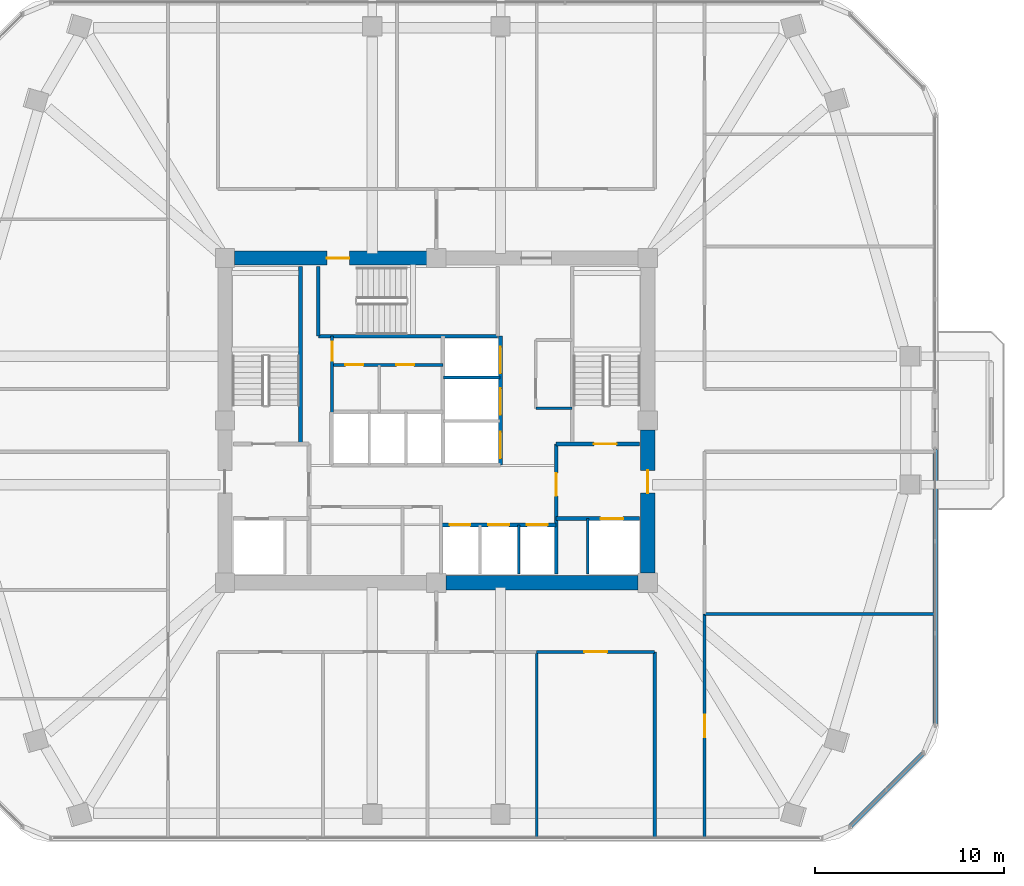
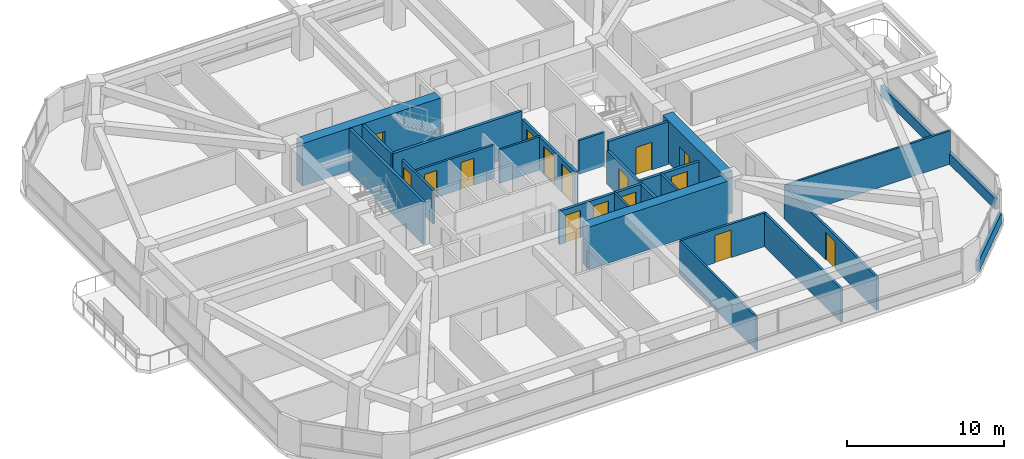
# One storey, part 11 of 15: 24 walls, 16 doors, 16 openings.
"""IFC4 building model written with IfcOpenShell, lengths in metres."""

from ifc_helpers import new_model, si_unit, derived_unit, direction, frame, frame_2d, origin, place, context, subcontext, project, spatial, rectangle, extrude, material, layer, layer_set, type_object, element, fill, save


model = new_model("IFC4")

# Units and contexts
model_context = context("Model", 3, precision=1e-05, world=origin(), true_north=direction((0.0, 1.0)))
body_context = subcontext(model_context, "Body", "Model", "MODEL_VIEW")
ifc_project = project(units=[si_unit("LENGTHUNIT", "METRE"), si_unit("AREAUNIT", "SQUARE_METRE"), si_unit("VOLUMEUNIT", "CUBIC_METRE"), si_unit("PLANEANGLEUNIT", "RADIAN"), si_unit("MASSUNIT", "GRAM", prefix="KILO"), derived_unit("THERMALTRANSMITTANCEUNIT", [(si_unit("POWERUNIT", "WATT"), 1), (si_unit("LENGTHUNIT", "METRE"), -2), (si_unit("THERMODYNAMICTEMPERATUREUNIT", "KELVIN"), -1)])], contexts=[model_context])

# Site, building, storey
site_placement = place(None, origin())
site = spatial("IfcSite", under=ifc_project, at=site_placement, CompositionType="ELEMENT")
building_placement = place(site_placement, origin())
building = spatial("IfcBuilding", under=site, at=building_placement, Name="Koralith Skygarden Medical Center", CompositionType="ELEMENT")
storey_placement = place(building_placement, frame((0.0, 0.0, 91.97998046875)))
storey = spatial("IfcBuildingStorey", under=building, at=storey_placement, Name="L23", CompositionType="ELEMENT", Elevation=91.97998046875)

# Walls
ifc_material_1 = material(Name="Gypsum Board Partition")
ifc_layer_1 = layer(ifc_material_1, 0.14990234375)
ifc_layer_set_1 = layer_set([ifc_layer_1], Name="Gypsum Board Partition")
wall_type_1 = type_object("IfcWallType", Name="Clinical Acoustic Partition 150", PredefinedType="PARTITIONING", material=ifc_layer_set_1)
wall_1_placement = place(storey_placement, frame((42.27001953125, 26.5400390625, 0.0), z_axis=(0.0, 0.0, 1.0), x_axis=(1.0, 0.0, 0.0)))
element("IfcWall", 1, at=wall_1_placement, inside=storey, type_object=wall_type_1, Name="L23 Clinical Acoustic Partition 150 W-CORE-L23-ESUB-S", PredefinedType="PARTITIONING", context=body_context, shape_type="SweptSolid", body=[
    extrude(rectangle(XDim=1.929931640625, YDim=0.14990234375, at=frame_2d((0.96484375, 0.0))), origin(), (0.0, 0.0, 1.0), 2.610107421875),
])
wall_2_placement = place(storey_placement, frame((42.318115234375, 13.639892578125, 0.0), z_axis=(0.0, 0.0, 1.0), x_axis=(0.0, -1.0, 0.0)))
element("IfcWall", 2, at=wall_2_placement, inside=storey, type_object=wall_type_1, Name="L23 Clinical Acoustic Partition 150 W-PART-L23-S-03", PredefinedType="PARTITIONING", context=body_context, shape_type="SweptSolid", body=[
    extrude(rectangle(XDim=9.851806640625, YDim=0.14990234375, at=frame_2d((4.92578125, 0.0))), origin(), (0.0, 0.0, 1.0), 2.610107421875),
])
wall_3_placement = place(storey_placement, frame((51.2099609375, 15.64990234375, 0.0), z_axis=(0.0, 0.0, 1.0), x_axis=(1.0, 0.0, 0.0)))
element("IfcWall", 3, at=wall_3_placement, inside=storey, type_object=wall_type_1, Name="L23 Clinical Acoustic Partition 150 W-PART-L23-ES-01", PredefinedType="PARTITIONING", context=body_context, shape_type="SweptSolid", body=[
    extrude(rectangle(XDim=12.18798828125, YDim=0.14990234375, at=frame_2d((6.093994140625, 0.0))), origin(), (0.0, 0.0, 1.0), 2.610107421875),
])
ifc_layer_2 = layer(ifc_material_1, 0.1650390625)
ifc_layer_set_2 = layer_set([ifc_layer_2], Name="Gypsum Board Partition")
wall_type_2 = type_object("IfcWallType", Name="Clinical Corridor Partition 165", PredefinedType="PARTITIONING", material=ifc_layer_set_2)
wall_4_placement = place(storey_placement, frame((48.570068359375, 3.7880859375, 0.0), z_axis=(0.0, 0.0, 1.0), x_axis=(0.0, 1.0, 0.0)))
element("IfcWall", 4, at=wall_4_placement, inside=storey, type_object=wall_type_2, Name="L23 Clinical Corridor Partition 165 W-HCOR-L23-SE", PredefinedType="PARTITIONING", context=body_context, shape_type="SweptSolid", body=[
    extrude(rectangle(XDim=9.851806640625, YDim=0.1650390625, at=frame_2d((4.92578125, 0.0))), origin(), (0.0, 0.0, 1.0), 2.610107421875),
])

# Wall, opening, door
wall_5_placement = place(storey_placement, frame((42.318115234375, 13.639892578125, 0.0), z_axis=(0.0, 0.0, 1.0), x_axis=(1.0, 0.0, 0.0)))
wall_5 = element("IfcWall", 5, at=wall_5_placement, inside=storey, type_object=wall_type_2, Name="L23 Clinical Corridor Partition 165 W-CORR-L23-S-04", PredefinedType="PARTITIONING", context=body_context, shape_type="SweptSolid", body=[
    extrude(rectangle(XDim=6.251953125, YDim=0.1650390625, at=frame_2d((3.1259765625, 0.0))), origin(), (0.0, 0.0, 1.0), 2.610107421875),
])
opening_1_placement = place(wall_5_placement, frame((2.52587890625, 0.0, 0.0)))
opening_1 = element("IfcOpeningElement", 6, at=opening_1_placement, cuts=wall_5, Name="Opening D-CLN", PredefinedType="OPENING", context=body_context, shape_type="SweptSolid", body=[
    extrude(rectangle(XDim=1.199951171875, YDim=2.14990234375, at=frame_2d((0.60009765625, 1.074951171875))), frame((0.0, 0.092529296875, 0.0), z_axis=(0.0, -1.0, 0.0), x_axis=(1.0, 0.0, 0.0)), (0.0, 0.0, 1.0), 0.18505859375),
])
ifc_material_2 = material(Name="Aluminium 6063-T6", Category="aluminium")
door_type_1 = type_object("IfcDoorType", Name="Clinical Corridor Door D-CLN 1200", OperationType="NOTDEFINED", PredefinedType="DOOR", material=ifc_material_2)
door_1_placement = place(opening_1_placement, frame((1.199951171875, 0.0, 0.0), z_axis=(0.0, 0.0, 1.0), x_axis=(-1.0, 0.0, 0.0)))
door_1 = element("IfcDoor", 7, at=door_1_placement, inside=storey, type_object=door_type_1, Name="L23 Cast and Dressing Treatment Room 07 Door", OperationType="SINGLE_SWING_RIGHT", OverallHeight=2.14990234375, OverallWidth=1.199951171875, PredefinedType="DOOR", context=body_context, shape_type="SweptSolid", body=[
    extrude(rectangle(XDim=1.199951171875, YDim=2.14990234375, at=frame_2d((0.60009765625, 1.074951171875))), frame((0.0, 0.02490234375, 0.0), z_axis=(0.0, -1.0, 0.0), x_axis=(1.0, 0.0, 0.0)), (0.0, 0.0, 1.0), 0.050048828125),
])
fill(opening_1, door_1)

wall_6_placement = place(storey_placement, frame((51.2099609375, 3.7880859375, 0.0), z_axis=(0.0, 0.0, 1.0), x_axis=(0.0, 1.0, 0.0)))
wall_6 = element("IfcWall", 8, at=wall_6_placement, inside=storey, type_object=wall_type_2, Name="L23 Clinical Corridor Partition 165 W-CORR-L23-ES-01", PredefinedType="PARTITIONING", context=body_context, shape_type="SweptSolid", body=[
    extrude(rectangle(XDim=11.86181640625, YDim=0.1650390625, at=frame_2d((5.930908203125, 0.0))), origin(), (0.0, 0.0, 1.0), 2.610107421875),
])
opening_2_placement = place(wall_6_placement, frame((5.3310546875, 0.0, 0.0)))
opening_2 = element("IfcOpeningElement", 9, at=opening_2_placement, cuts=wall_6, Name="Opening D-CLN", PredefinedType="OPENING", context=body_context, shape_type="SweptSolid", body=[
    extrude(rectangle(XDim=1.199951171875, YDim=2.14990234375, at=frame_2d((0.60009765625, 1.074951171875))), frame((0.0, 0.092529296875, 0.0), z_axis=(0.0, -1.0, 0.0), x_axis=(1.0, 0.0, 0.0)), (0.0, 0.0, 1.0), 0.18505859375),
])
door_2_placement = place(opening_2_placement, origin())
door_2 = element("IfcDoor", 10, at=door_2_placement, inside=storey, type_object=door_type_1, Name="L23 Sterile Instrument Sub-Store 13 Door", OperationType="SINGLE_SWING_RIGHT", OverallHeight=2.14990234375, OverallWidth=1.199951171875, PredefinedType="DOOR", context=body_context, shape_type="SweptSolid", body=[
    extrude(rectangle(XDim=1.199951171875, YDim=2.14990234375, at=frame_2d((0.60009765625, 1.074951171875))), frame((0.0, 0.02490234375, 0.0), z_axis=(0.0, -1.0, 0.0), x_axis=(1.0, 0.0, 0.0)), (0.0, 0.0, 1.0), 0.050048828125),
])
fill(opening_2, door_2)

ifc_layer_3 = layer(ifc_material_1, 0.199951171875)
ifc_layer_set_3 = layer_set([ifc_layer_3], Name="Gypsum Board Partition")
wall_type_3 = type_object("IfcWallType", Name="Fire Shaft Wall 200", PredefinedType="SOLIDWALL", material=ifc_layer_set_3)
wall_7_placement = place(storey_placement, frame((43.35009765625, 20.699951171875, 0.0), z_axis=(0.0, 0.0, 1.0), x_axis=(1.0, 0.0, 0.0)))
wall_7 = element("IfcWall", 11, at=wall_7_placement, inside=storey, type_object=wall_type_3, Name="L23 Fire Shaft Wall 200 W-CORE-L23-FF2-N", PredefinedType="SOLIDWALL", context=body_context, shape_type="SweptSolid", body=[
    extrude(rectangle(XDim=4.39990234375, YDim=0.199951171875, at=frame_2d((2.199951171875, 0.0))), origin(), (0.0, 0.0, 1.0), 2.610107421875),
])
opening_3_placement = place(wall_7_placement, frame((2.35009765625, 0.0, 0.0)))
opening_3 = element("IfcOpeningElement", 12, at=opening_3_placement, cuts=wall_7, Name="Opening LD-FF", PredefinedType="OPENING", context=body_context, shape_type="SweptSolid", body=[
    extrude(rectangle(XDim=1.199951171875, YDim=2.14990234375, at=frame_2d((0.60009765625, 1.074951171875))), frame((0.0, 0.10986328125, 0.0), z_axis=(0.0, -1.0, 0.0), x_axis=(1.0, 0.0, 0.0)), (0.0, 0.0, 1.0), 0.219970703125),
])
ifc_material_3 = material(Name="Steel ASTM A500 Grade C", Category="steel")
door_type_2 = type_object("IfcDoorType", Name="Fire Lift Sliding Landing Door LD-FF 1200", OperationType="NOTDEFINED", PredefinedType="DOOR", material=ifc_material_3)
door_3_placement = place(opening_3_placement, origin())
door_3 = element("IfcDoor", 13, at=door_3_placement, inside=storey, type_object=door_type_2, Name="L23 Fire Service Elevator FF2 Landing Door", OperationType="SLIDING_TO_RIGHT", OverallHeight=2.14990234375, OverallWidth=1.199951171875, PredefinedType="DOOR", context=body_context, shape_type="SweptSolid", body=[
    extrude(rectangle(XDim=1.199951171875, YDim=2.14990234375, at=frame_2d((0.60009765625, 1.074951171875))), frame((0.0, 0.02490234375, 0.0), z_axis=(0.0, -1.0, 0.0), x_axis=(1.0, 0.0, 0.0)), (0.0, 0.0, 1.0), 0.050048828125),
])
fill(opening_3, door_3)

wall_8_placement = place(storey_placement, frame((43.35009765625, 17.75, 0.0), z_axis=(0.0, 0.0, 1.0), x_axis=(0.0, 1.0, 0.0)))
wall_8 = element("IfcWall", 14, at=wall_8_placement, inside=storey, type_object=wall_type_3, Name="L23 Fire Shaft Wall 200 W-CORE-L23-FSAEE-W", PredefinedType="SOLIDWALL", context=body_context, shape_type="SweptSolid", body=[
    extrude(rectangle(XDim=6.89990234375, YDim=0.199951171875, at=frame_2d((3.449951171875, 0.0))), origin(), (0.0, 0.0, 1.0), 2.610107421875),
])
opening_4_placement = place(wall_8_placement, frame((4.14990234375, 0.0, 0.0)))
opening_4 = element("IfcOpeningElement", 15, at=opening_4_placement, cuts=wall_8, Name="Opening D-ST60", PredefinedType="OPENING", context=body_context, shape_type="SweptSolid", body=[
    extrude(rectangle(XDim=1.199951171875, YDim=2.14990234375, at=frame_2d((0.60009765625, 1.074951171875))), frame((0.0, 0.10986328125, 0.0), z_axis=(0.0, -1.0, 0.0), x_axis=(1.0, 0.0, 0.0)), (0.0, 0.0, 1.0), 0.219970703125),
])
door_type_3 = type_object("IfcDoorType", Name="Smokeproof Stair Fire Door FD60S 1200", OperationType="NOTDEFINED", PredefinedType="DOOR", material=ifc_material_3)
door_4_placement = place(opening_4_placement, frame((1.199951171875, 0.0, 0.0), z_axis=(0.0, 0.0, 1.0), x_axis=(-1.0, 0.0, 0.0)))
door_4 = element("IfcDoor", 16, at=door_4_placement, inside=storey, type_object=door_type_3, Name="L23 East Firefighting Lobby Inner Fire Door", OperationType="SINGLE_SWING_RIGHT", OverallHeight=2.14990234375, OverallWidth=1.199951171875, PredefinedType="DOOR", context=body_context, shape_type="SweptSolid", body=[
    extrude(rectangle(XDim=1.199951171875, YDim=2.14990234375, at=frame_2d((0.60009765625, 1.074951171875))), frame((0.0, 0.02490234375, 0.0), z_axis=(0.0, -1.0, 0.0), x_axis=(1.0, 0.0, 0.0)), (0.0, 0.0, 1.0), 0.050048828125),
])
fill(opening_4, door_4)

# Wall, openings, doors
wall_9_placement = place(storey_placement, frame((37.25, 20.360107421875, 0.0), z_axis=(0.0, 0.0, 1.0), x_axis=(1.0, 0.0, 0.0)))
wall_9 = element("IfcWall", 17, at=wall_9_placement, inside=storey, type_object=wall_type_3, Name="L23 Fire Shaft Wall 200 W-CORE-L23-PM-N", PredefinedType="SOLIDWALL", context=body_context, shape_type="SweptSolid", body=[
    extrude(rectangle(XDim=6.10009765625, YDim=0.199951171875, at=frame_2d((3.050048828125, 0.0))), origin(), (0.0, 0.0, 1.0), 2.610107421875),
])
opening_5_placement = place(wall_9_placement, frame((0.449951171875, 0.0, 0.0)))
opening_5 = element("IfcOpeningElement", 18, at=opening_5_placement, cuts=wall_9, Name="Opening LD-P", PredefinedType="OPENING", context=body_context, shape_type="SweptSolid", body=[
    extrude(rectangle(XDim=1.10009765625, YDim=2.14990234375, at=frame_2d((0.550048828125, 1.074951171875))), frame((0.0, 0.10986328125, 0.0), z_axis=(0.0, -1.0, 0.0), x_axis=(1.0, 0.0, 0.0)), (0.0, 0.0, 1.0), 0.219970703125),
])
opening_6_placement = place(wall_9_placement, frame((2.5, 0.0, 0.0)))
opening_6 = element("IfcOpeningElement", 19, at=opening_6_placement, cuts=wall_9, Name="Opening LD-P", PredefinedType="OPENING", context=body_context, shape_type="SweptSolid", body=[
    extrude(rectangle(XDim=1.10009765625, YDim=2.14990234375, at=frame_2d((0.550048828125, 1.074951171875))), frame((0.0, 0.10986328125, 0.0), z_axis=(0.0, -1.0, 0.0), x_axis=(1.0, 0.0, 0.0)), (0.0, 0.0, 1.0), 0.219970703125),
])
opening_7_placement = place(wall_9_placement, frame((4.550048828125, 0.0, 0.0)))
opening_7 = element("IfcOpeningElement", 20, at=opening_7_placement, cuts=wall_9, Name="Opening LD-P", PredefinedType="OPENING", context=body_context, shape_type="SweptSolid", body=[
    extrude(rectangle(XDim=1.10009765625, YDim=2.14990234375, at=frame_2d((0.550048828125, 1.074951171875))), frame((0.0, 0.10986328125, 0.0), z_axis=(0.0, -1.0, 0.0), x_axis=(1.0, 0.0, 0.0)), (0.0, 0.0, 1.0), 0.219970703125),
])
door_type_4 = type_object("IfcDoorType", Name="Passenger Lift Sliding Landing Door LD-P 1100", OperationType="NOTDEFINED", PredefinedType="DOOR", material=ifc_material_3)
door_5_placement = place(opening_5_placement, origin())
door_5 = element("IfcDoor", 21, at=door_5_placement, inside=storey, type_object=door_type_4, Name="L23 Passenger Elevator PM1 Landing Door", OperationType="SLIDING_TO_LEFT", OverallHeight=2.14990234375, OverallWidth=1.10009765625, PredefinedType="DOOR", context=body_context, shape_type="SweptSolid", body=[
    extrude(rectangle(XDim=1.10009765625, YDim=2.14990234375, at=frame_2d((0.550048828125, 1.074951171875))), frame((0.0, 0.02490234375, 0.0), z_axis=(0.0, -1.0, 0.0), x_axis=(1.0, 0.0, 0.0)), (0.0, 0.0, 1.0), 0.050048828125),
])
fill(opening_5, door_5)
door_6_placement = place(opening_6_placement, origin())
door_6 = element("IfcDoor", 22, at=door_6_placement, inside=storey, type_object=door_type_4, Name="L23 Passenger Elevator PM2 Landing Door", OperationType="SLIDING_TO_LEFT", OverallHeight=2.14990234375, OverallWidth=1.10009765625, PredefinedType="DOOR", context=body_context, shape_type="SweptSolid", body=[
    extrude(rectangle(XDim=1.10009765625, YDim=2.14990234375, at=frame_2d((0.550048828125, 1.074951171875))), frame((0.0, 0.02490234375, 0.0), z_axis=(0.0, -1.0, 0.0), x_axis=(1.0, 0.0, 0.0)), (0.0, 0.0, 1.0), 0.050048828125),
])
fill(opening_6, door_6)
door_7_placement = place(opening_7_placement, origin())
door_7 = element("IfcDoor", 23, at=door_7_placement, inside=storey, type_object=door_type_4, Name="L23 Passenger Elevator PM3 Landing Door", OperationType="SLIDING_TO_LEFT", OverallHeight=2.14990234375, OverallWidth=1.10009765625, PredefinedType="DOOR", context=body_context, shape_type="SweptSolid", body=[
    extrude(rectangle(XDim=1.10009765625, YDim=2.14990234375, at=frame_2d((0.550048828125, 1.074951171875))), frame((0.0, 0.02490234375, 0.0), z_axis=(0.0, -1.0, 0.0), x_axis=(1.0, 0.0, 0.0)), (0.0, 0.0, 1.0), 0.050048828125),
])
fill(opening_7, door_7)

wall_10_placement = place(storey_placement, frame((40.39990234375, 23.5400390625, 0.0), z_axis=(0.0, 0.0, 1.0), x_axis=(0.0, 1.0, 0.0)))
wall_10 = element("IfcWall", 24, at=wall_10_placement, inside=storey, type_object=wall_type_3, Name="L23 Fire Shaft Wall 200 W-CORE-L23-SV-E", PredefinedType="SOLIDWALL", context=body_context, shape_type="SweptSolid", body=[
    extrude(rectangle(XDim=6.820068359375, YDim=0.199951171875, at=frame_2d((3.41015625, 0.0))), origin(), (0.0, 0.0, 1.0), 2.610107421875),
])
opening_8_placement = place(wall_10_placement, frame((0.35009765625, 0.0, 0.0)))
opening_8 = element("IfcOpeningElement", 25, at=opening_8_placement, cuts=wall_10, Name="Opening LD-SV", PredefinedType="OPENING", context=body_context, shape_type="SweptSolid", body=[
    extrude(rectangle(XDim=1.39990234375, YDim=2.199951171875, at=frame_2d((0.699951171875, 1.10009765625))), frame((0.0, 0.10986328125, 0.0), z_axis=(0.0, -1.0, 0.0), x_axis=(1.0, 0.0, 0.0)), (0.0, 0.0, 1.0), 0.219970703125),
])
opening_9_placement = place(wall_10_placement, frame((2.64990234375, 0.0, 0.0)))
opening_9 = element("IfcOpeningElement", 26, at=opening_9_placement, cuts=wall_10, Name="Opening LD-SV", PredefinedType="OPENING", context=body_context, shape_type="SweptSolid", body=[
    extrude(rectangle(XDim=1.39990234375, YDim=2.199951171875, at=frame_2d((0.699951171875, 1.10009765625))), frame((0.0, 0.10986328125, 0.0), z_axis=(0.0, -1.0, 0.0), x_axis=(1.0, 0.0, 0.0)), (0.0, 0.0, 1.0), 0.219970703125),
])
opening_10_placement = place(wall_10_placement, frame((4.85009765625, 0.0, 0.0)))
opening_10 = element("IfcOpeningElement", 27, at=opening_10_placement, cuts=wall_10, Name="Opening LD-SV", PredefinedType="OPENING", context=body_context, shape_type="SweptSolid", body=[
    extrude(rectangle(XDim=1.39990234375, YDim=2.199951171875, at=frame_2d((0.699951171875, 1.10009765625))), frame((0.0, 0.10986328125, 0.0), z_axis=(0.0, -1.0, 0.0), x_axis=(1.0, 0.0, 0.0)), (0.0, 0.0, 1.0), 0.219970703125),
])
door_type_5 = type_object("IfcDoorType", Name="Bed Lift Sliding Landing Door LD-SV 1400", OperationType="NOTDEFINED", PredefinedType="DOOR", material=ifc_material_3)
door_8_placement = place(opening_8_placement, origin())
door_8 = element("IfcDoor", 28, at=door_8_placement, inside=storey, type_object=door_type_5, Name="L23 Bed Elevator BD1 Landing Door", OperationType="SLIDING_TO_LEFT", OverallHeight=2.199951171875, OverallWidth=1.39990234375, PredefinedType="DOOR", context=body_context, shape_type="SweptSolid", body=[
    extrude(rectangle(XDim=1.39990234375, YDim=2.199951171875, at=frame_2d((0.699951171875, 1.10009765625))), frame((0.0, 0.02490234375, 0.0), z_axis=(0.0, -1.0, 0.0), x_axis=(1.0, 0.0, 0.0)), (0.0, 0.0, 1.0), 0.050048828125),
])
fill(opening_8, door_8)
door_9_placement = place(opening_9_placement, origin())
door_9 = element("IfcDoor", 29, at=door_9_placement, inside=storey, type_object=door_type_5, Name="L23 Service Elevator BD2 Landing Door", OperationType="SLIDING_TO_LEFT", OverallHeight=2.199951171875, OverallWidth=1.39990234375, PredefinedType="DOOR", context=body_context, shape_type="SweptSolid", body=[
    extrude(rectangle(XDim=1.39990234375, YDim=2.199951171875, at=frame_2d((0.699951171875, 1.10009765625))), frame((0.0, 0.02490234375, 0.0), z_axis=(0.0, -1.0, 0.0), x_axis=(1.0, 0.0, 0.0)), (0.0, 0.0, 1.0), 0.050048828125),
])
fill(opening_9, door_9)
door_10_placement = place(opening_10_placement, origin())
door_10 = element("IfcDoor", 30, at=door_10_placement, inside=storey, type_object=door_type_5, Name="L23 Trauma Elevator TR1 Landing Door", OperationType="SLIDING_TO_RIGHT", OverallHeight=2.199951171875, OverallWidth=1.39990234375, PredefinedType="DOOR", context=body_context, shape_type="SweptSolid", body=[
    extrude(rectangle(XDim=1.39990234375, YDim=2.199951171875, at=frame_2d((0.699951171875, 1.10009765625))), frame((0.0, 0.02490234375, 0.0), z_axis=(0.0, -1.0, 0.0), x_axis=(1.0, 0.0, 0.0)), (0.0, 0.0, 1.0), 0.050048828125),
])
fill(opening_10, door_10)

# Walls
ifc_material_4 = material(Name="Warm Oolitic Limestone Cladding", Category="masonry")
ifc_layer_4 = layer(ifc_material_4, 0.239990234375)
ifc_layer_set_4 = layer_set([ifc_layer_4], Name="Warm Oolitic Limestone Cladding")
wall_type_4 = type_object("IfcWallType", Name="Limestone Spandrel Sill Backup Wall 240", PredefinedType="SOLIDWALL", material=ifc_layer_set_4)
wall_11_placement = place(storey_placement, frame((58.89306640625, 4.3701171875, 0.0), z_axis=(0.0, 0.0, 1.0), x_axis=(0.707106781187, 0.707106781187, 0.0)))
element("IfcWall", 31, at=wall_11_placement, inside=storey, type_object=wall_type_4, Name="L23 Sill Spandrel SE", PredefinedType="SOLIDWALL", context=body_context, shape_type="SweptSolid", body=[
    extrude(rectangle(XDim=5.5478515625, YDim=0.239990234375, at=frame_2d((2.77392578125, 0.0))), origin(), (0.0, 0.0, 1.0), 0.85009765625),
])
wall_12_placement = place(storey_placement, frame((63.41796875, 9.743896484375, 0.0), z_axis=(0.0, 0.0, 1.0), x_axis=(0.0, 1.0, 0.0)))
element("IfcWall", 32, at=wall_12_placement, inside=storey, type_object=wall_type_4, Name="L23 Sill Spandrel E-L", PredefinedType="SOLIDWALL", context=body_context, shape_type="SweptSolid", body=[
    extrude(rectangle(XDim=14.6162109375, YDim=0.239990234375, at=frame_2d((7.30810546875, 0.0))), origin(), (0.0, 0.0, 1.0), 0.85009765625),
])
ifc_material_5 = material(Name="Concrete C70/85", Category="concrete")
ifc_layer_5 = layer(ifc_material_5, 0.75)
ifc_layer_set_5 = layer_set([ifc_layer_5], Name="Concrete C70/85")
wall_type_5 = type_object("IfcWallType", Name="Mid Core Shear Wall 750", PredefinedType="SHEAR", material=ifc_layer_set_5)
wall_13_placement = place(storey_placement, frame((37.5048828125, 17.300048828125, 0.0), z_axis=(0.0, 0.0, 1.0), x_axis=(1.0, 0.0, 0.0)))
element("IfcWall", 33, at=wall_13_placement, inside=storey, type_object=wall_type_5, Name="L23 Core Shear Wall Segment 2", PredefinedType="SHEAR", context=body_context, shape_type="SweptSolid", body=[
    extrude(rectangle(XDim=10.190185546875, YDim=0.75, at=frame_2d((5.09521484375, 0.0))), origin(), (0.0, 0.0, 1.0), 3.320068359375),
])

# Wall, opening, door
wall_14_placement = place(storey_placement, frame((48.199951171875, 17.804931640625, 0.0), z_axis=(0.0, 0.0, 1.0), x_axis=(0.0, 1.0, 0.0)))
wall_14 = element("IfcWall", 34, at=wall_14_placement, inside=storey, type_object=wall_type_5, Name="L23 Core Shear Wall Segment 3", PredefinedType="SHEAR", context=body_context, shape_type="SweptSolid", body=[
    extrude(rectangle(XDim=7.590087890625, YDim=0.75, at=frame_2d((3.794921875, 0.0))), origin(), (0.0, 0.0, 1.0), 3.320068359375),
])
opening_11_placement = place(wall_14_placement, frame((4.2451171875, 0.0, 0.0)))
opening_11 = element("IfcOpeningElement", 35, at=opening_11_placement, cuts=wall_14, Name="Opening D-ST60", PredefinedType="OPENING", context=body_context, shape_type="SweptSolid", body=[
    extrude(rectangle(XDim=1.199951171875, YDim=2.14990234375, at=frame_2d((0.60009765625, 1.074951171875))), frame((0.0, 0.385009765625, 0.0), z_axis=(0.0, -1.0, 0.0), x_axis=(1.0, 0.0, 0.0)), (0.0, 0.0, 1.0), 0.77001953125),
])
door_11_placement = place(opening_11_placement, frame((1.199951171875, 0.0, 0.0), z_axis=(0.0, 0.0, 1.0), x_axis=(-1.0, 0.0, 0.0)))
door_11 = element("IfcDoor", 36, at=door_11_placement, inside=storey, type_object=door_type_3, Name="L23 East Corridor to Firefighting Lobby Door", OperationType="SINGLE_SWING_RIGHT", OverallHeight=2.14990234375, OverallWidth=1.199951171875, PredefinedType="DOOR", context=body_context, shape_type="SweptSolid", body=[
    extrude(rectangle(XDim=1.199951171875, YDim=2.14990234375, at=frame_2d((0.60009765625, 1.074951171875))), frame((0.0, 0.02490234375, 0.0), z_axis=(0.0, -1.0, 0.0), x_axis=(1.0, 0.0, 0.0)), (0.0, 0.0, 1.0), 0.050048828125),
])
fill(opening_11, door_11)

wall_15_placement = place(storey_placement, frame((36.4951171875, 34.5, 0.0), z_axis=(0.0, 0.0, 1.0), x_axis=(-1.0, 0.0, 0.0)))
wall_15 = element("IfcWall", 37, at=wall_15_placement, inside=storey, type_object=wall_type_5, Name="L23 Core Shear Wall Segment 6", PredefinedType="SHEAR", context=body_context, shape_type="SweptSolid", body=[
    extrude(rectangle(XDim=10.190185546875, YDim=0.75, at=frame_2d((5.09521484375, 0.0))), origin(), (0.0, 0.0, 1.0), 3.320068359375),
])
opening_12_placement = place(wall_15_placement, frame((4.094970703125, 0.0, 0.0)))
opening_12 = element("IfcOpeningElement", 38, at=opening_12_placement, cuts=wall_15, Name="Opening D-ST60", PredefinedType="OPENING", context=body_context, shape_type="SweptSolid", body=[
    extrude(rectangle(XDim=1.199951171875, YDim=2.14990234375, at=frame_2d((0.60009765625, 1.074951171875))), frame((0.0, 0.385009765625, 0.0), z_axis=(0.0, -1.0, 0.0), x_axis=(1.0, 0.0, 0.0)), (0.0, 0.0, 1.0), 0.77001953125),
])
door_12_placement = place(opening_12_placement, frame((1.199951171875, 0.0, 0.0), z_axis=(0.0, 0.0, 1.0), x_axis=(-1.0, 0.0, 0.0)))
door_12 = element("IfcDoor", 39, at=door_12_placement, inside=storey, type_object=door_type_3, Name="L23 Exit Stair ST3 Fire Door", OperationType="SINGLE_SWING_LEFT", OverallHeight=2.14990234375, OverallWidth=1.199951171875, PredefinedType="DOOR", context=body_context, shape_type="SweptSolid", body=[
    extrude(rectangle(XDim=1.199951171875, YDim=2.14990234375, at=frame_2d((0.60009765625, 1.074951171875))), frame((0.0, 0.02490234375, 0.0), z_axis=(0.0, -1.0, 0.0), x_axis=(1.0, 0.0, 0.0)), (0.0, 0.0, 1.0), 0.050048828125),
])
fill(opening_12, door_12)

ifc_layer_6 = layer(ifc_material_1, 0.1650390625)
ifc_layer_set_6 = layer_set([ifc_layer_6], Name="Gypsum Board Partition")
wall_type_6 = type_object("IfcWallType", Name="Plumbing Wet Wall 165", PredefinedType="PLUMBINGWALL", material=ifc_layer_set_6)
wall_16_placement = place(storey_placement, frame((31.47998046875, 26.320068359375, 0.0), z_axis=(0.0, 0.0, 1.0), x_axis=(0.0, 1.0, 0.0)))
wall_16 = element("IfcWall", 40, at=wall_16_placement, inside=storey, type_object=wall_type_6, Name="L23 Plumbing Wet Wall 165 W-CORE-L23-FLEX-W", PredefinedType="PLUMBINGWALL", context=body_context, shape_type="SweptSolid", body=[
    extrude(rectangle(XDim=4.0400390625, YDim=0.1650390625, at=frame_2d((2.02001953125, 0.0))), origin(), (0.0, 0.0, 1.0), 2.610107421875),
])
opening_13_placement = place(wall_16_placement, frame((2.75, 0.0, 0.0)))
opening_13 = element("IfcOpeningElement", 41, at=opening_13_placement, cuts=wall_16, Name="Opening D-SUP", PredefinedType="OPENING", context=body_context, shape_type="SweptSolid", body=[
    extrude(rectangle(XDim=1.0, YDim=2.14990234375, at=frame_2d((0.5, 1.074951171875))), frame((0.0, 0.092529296875, 0.0), z_axis=(0.0, -1.0, 0.0), x_axis=(1.0, 0.0, 0.0)), (0.0, 0.0, 1.0), 0.18505859375),
])
door_type_6 = type_object("IfcDoorType", Name="Clinical Support Door D-SUP 1000", OperationType="NOTDEFINED", PredefinedType="DOOR", material=ifc_material_2)
door_13_placement = place(opening_13_placement, frame((1.0, 0.0, 0.0), z_axis=(0.0, 0.0, 1.0), x_axis=(-1.0, 0.0, 0.0)))
door_13 = element("IfcDoor", 42, at=door_13_placement, inside=storey, type_object=door_type_6, Name="L23 Core Utility Alcove Door", OperationType="SINGLE_SWING_RIGHT", OverallHeight=2.14990234375, OverallWidth=1.0, PredefinedType="DOOR", context=body_context, shape_type="SweptSolid", body=[
    extrude(rectangle(XDim=1.0, YDim=2.14990234375, at=frame_2d((0.5, 1.074951171875))), frame((0.0, 0.02490234375, 0.0), z_axis=(0.0, -1.0, 0.0), x_axis=(1.0, 0.0, 0.0)), (0.0, 0.0, 1.0), 0.050048828125),
])
fill(opening_13, door_13)

# Wall, openings, doors
wall_17_placement = place(storey_placement, frame((31.47998046875, 28.840087890625, 0.0), z_axis=(0.0, 0.0, 1.0), x_axis=(1.0, 0.0, 0.0)))
wall_17 = element("IfcWall", 43, at=wall_17_placement, inside=storey, type_object=wall_type_6, Name="L23 Plumbing Wet Wall 165 W-CORE-L23-FLEX-H3", PredefinedType="PLUMBINGWALL", context=body_context, shape_type="SweptSolid", body=[
    extrude(rectangle(XDim=5.8701171875, YDim=0.1650390625, at=frame_2d((2.93505859375, 0.0))), origin(), (0.0, 0.0, 1.0), 2.610107421875),
])
opening_14_placement = place(wall_17_placement, frame((0.699951171875, 0.0, 0.0)))
opening_14 = element("IfcOpeningElement", 44, at=opening_14_placement, cuts=wall_17, Name="Opening D-WC", PredefinedType="OPENING", context=body_context, shape_type="SweptSolid", body=[
    extrude(rectangle(XDim=0.949951171875, YDim=2.10009765625, at=frame_2d((0.47509765625, 1.050048828125))), frame((0.0, 0.092529296875, 0.0), z_axis=(0.0, -1.0, 0.0), x_axis=(1.0, 0.0, 0.0)), (0.0, 0.0, 1.0), 0.18505859375),
])
opening_15_placement = place(wall_17_placement, frame((3.39990234375, 0.0, 0.0)))
opening_15 = element("IfcOpeningElement", 45, at=opening_15_placement, cuts=wall_17, Name="Opening D-WC", PredefinedType="OPENING", context=body_context, shape_type="SweptSolid", body=[
    extrude(rectangle(XDim=0.949951171875, YDim=2.10009765625, at=frame_2d((0.47509765625, 1.050048828125))), frame((0.0, 0.092529296875, 0.0), z_axis=(0.0, -1.0, 0.0), x_axis=(1.0, 0.0, 0.0)), (0.0, 0.0, 1.0), 0.18505859375),
])
door_type_7 = type_object("IfcDoorType", Name="Accessible Toilet Door D-WC 950", OperationType="NOTDEFINED", PredefinedType="DOOR", material=ifc_material_2)
door_14_placement = place(opening_14_placement, frame((0.949951171875, 0.0, 0.0), z_axis=(0.0, 0.0, 1.0), x_axis=(-1.0, 0.0, 0.0)))
door_14 = element("IfcDoor", 46, at=door_14_placement, inside=storey, type_object=door_type_7, Name="L23 Core Accessible WC Door", OperationType="SINGLE_SWING_LEFT", OverallHeight=2.10009765625, OverallWidth=0.949951171875, PredefinedType="DOOR", context=body_context, shape_type="SweptSolid", body=[
    extrude(rectangle(XDim=0.949951171875, YDim=2.10009765625, at=frame_2d((0.47509765625, 1.050048828125))), frame((0.0, 0.02490234375, 0.0), z_axis=(0.0, -1.0, 0.0), x_axis=(1.0, 0.0, 0.0)), (0.0, 0.0, 1.0), 0.050048828125),
])
fill(opening_14, door_14)
door_15_placement = place(opening_15_placement, frame((0.949951171875, 0.0, 0.0), z_axis=(0.0, 0.0, 1.0), x_axis=(-1.0, 0.0, 0.0)))
door_15 = element("IfcDoor", 47, at=door_15_placement, inside=storey, type_object=door_type_7, Name="L23 Housekeeping Store Door", OperationType="SINGLE_SWING_RIGHT", OverallHeight=2.10009765625, OverallWidth=0.949951171875, PredefinedType="DOOR", context=body_context, shape_type="SweptSolid", body=[
    extrude(rectangle(XDim=0.949951171875, YDim=2.10009765625, at=frame_2d((0.47509765625, 1.050048828125))), frame((0.0, 0.02490234375, 0.0), z_axis=(0.0, -1.0, 0.0), x_axis=(1.0, 0.0, 0.0)), (0.0, 0.0, 1.0), 0.050048828125),
])
fill(opening_15, door_15)

# Walls
ifc_layer_7 = layer(ifc_material_1, 0.14990234375)
ifc_layer_set_7 = layer_set([ifc_layer_7], Name="Gypsum Board Partition")
wall_type_7 = type_object("IfcWallType", Name="Shaft Partition Wall 150", PredefinedType="PARTITIONING", material=ifc_layer_set_7)
wall_18_placement = place(storey_placement, frame((45.02001953125, 17.75, 0.0), z_axis=(0.0, 0.0, 1.0), x_axis=(0.0, 1.0, 0.0)))
element("IfcWall", 48, at=wall_18_placement, inside=storey, type_object=wall_type_7, Name="L23 Shaft Partition Wall 150 W-CORE-L23-RSRE-DIV", PredefinedType="PARTITIONING", context=body_context, shape_type="SweptSolid", body=[
    extrude(rectangle(XDim=2.949951171875, YDim=0.14990234375, at=frame_2d((1.47509765625, 0.0))), origin(), (0.0, 0.0, 1.0), 2.610107421875),
])
wall_19_placement = place(storey_placement, frame((41.3701171875, 17.75, 0.0), z_axis=(0.0, 0.0, 1.0), x_axis=(0.0, 1.0, 0.0)))
element("IfcWall", 49, at=wall_19_placement, inside=storey, type_object=wall_type_7, Name="L23 Shaft Partition Wall 150 W-CORE-L23-PM-D2", PredefinedType="PARTITIONING", context=body_context, shape_type="SweptSolid", body=[
    extrude(rectangle(XDim=2.610107421875, YDim=0.14990234375, at=frame_2d((1.30517578125, 0.0))), origin(), (0.0, 0.0, 1.0), 2.610107421875),
])
wall_20_placement = place(storey_placement, frame((37.3701171875, 28.169921875, 0.0), z_axis=(0.0, 0.0, 1.0), x_axis=(1.0, 0.0, 0.0)))
element("IfcWall", 50, at=wall_20_placement, inside=storey, type_object=wall_type_7, Name="L23 Shaft Partition Wall 150 W-CORE-L23-SV-D2", PredefinedType="PARTITIONING", context=body_context, shape_type="SweptSolid", body=[
    extrude(rectangle(XDim=3.009765625, YDim=0.14990234375, at=frame_2d((1.5048828125, 0.0))), origin(), (0.0, 0.0, 1.0), 2.610107421875),
])
ifc_material_6 = material(Name="Concrete C45/55", Category="concrete")
ifc_layer_8 = layer(ifc_material_6, 0.199951171875)
ifc_layer_set_8 = layer_set([ifc_layer_8], Name="Concrete C45/55")
wall_type_8 = type_object("IfcWallType", Name="Structural Stair Shaft Wall 200", PredefinedType="SHEAR", material=ifc_layer_set_8)
wall_21_placement = place(storey_placement, frame((29.800048828125, 24.64990234375, 0.0), z_axis=(0.0, 0.0, 1.0), x_axis=(0.0, 1.0, 0.0)))
element("IfcWall", 51, at=wall_21_placement, inside=storey, type_object=wall_type_8, Name="L23 Structural Stair Shaft Wall 200 W-CORE-L23-ST1-E", PredefinedType="SHEAR", context=body_context, shape_type="SweptSolid", body=[
    extrude(rectangle(XDim=9.400146484375, YDim=0.199951171875, at=frame_2d((4.7001953125, 0.0))), origin(), (0.0, 0.0, 1.0), 3.320068359375),
])

# Wall, opening, door
wall_22_placement = place(storey_placement, frame((43.35009765625, 24.64990234375, 0.0), z_axis=(0.0, 0.0, 1.0), x_axis=(1.0, 0.0, 0.0)))
wall_22 = element("IfcWall", 52, at=wall_22_placement, inside=storey, type_object=wall_type_8, Name="L23 Structural Stair Shaft Wall 200 W-CORE-L23-ST2-S", PredefinedType="SHEAR", context=body_context, shape_type="SweptSolid", body=[
    extrude(rectangle(XDim=4.39990234375, YDim=0.199951171875, at=frame_2d((2.199951171875, 0.0))), origin(), (0.0, 0.0, 1.0), 3.320068359375),
])
opening_16_placement = place(wall_22_placement, frame((2.0, 0.0, 0.0)))
opening_16 = element("IfcOpeningElement", 53, at=opening_16_placement, cuts=wall_22, Name="Opening D-ST60", PredefinedType="OPENING", context=body_context, shape_type="SweptSolid", body=[
    extrude(rectangle(XDim=1.199951171875, YDim=2.14990234375, at=frame_2d((0.60009765625, 1.074951171875))), frame((0.0, 0.10986328125, 0.0), z_axis=(0.0, -1.0, 0.0), x_axis=(1.0, 0.0, 0.0)), (0.0, 0.0, 1.0), 0.219970703125),
])
door_16_placement = place(opening_16_placement, origin())
door_16 = element("IfcDoor", 54, at=door_16_placement, inside=storey, type_object=door_type_3, Name="L23 Exit Stair ST2 Fire Door", OperationType="SINGLE_SWING_RIGHT", OverallHeight=2.14990234375, OverallWidth=1.199951171875, PredefinedType="DOOR", context=body_context, shape_type="SweptSolid", body=[
    extrude(rectangle(XDim=1.199951171875, YDim=2.14990234375, at=frame_2d((0.60009765625, 1.074951171875))), frame((0.0, 0.02490234375, 0.0), z_axis=(0.0, -1.0, 0.0), x_axis=(1.0, 0.0, 0.0)), (0.0, 0.0, 1.0), 0.050048828125),
])
fill(opening_16, door_16)

# Walls
wall_23_placement = place(storey_placement, frame((30.75, 30.360107421875, 0.0), z_axis=(0.0, 0.0, 1.0), x_axis=(1.0, 0.0, 0.0)))
element("IfcWall", 55, at=wall_23_placement, inside=storey, type_object=wall_type_8, Name="L23 Structural Stair Shaft Wall 200 W-CORE-L23-ST3-S", PredefinedType="SHEAR", context=body_context, shape_type="SweptSolid", body=[
    extrude(rectangle(XDim=9.5, YDim=0.199951171875, at=frame_2d((4.75, 0.0))), origin(), (0.0, 0.0, 1.0), 3.320068359375),
])
wall_24_placement = place(storey_placement, frame((30.75, 30.360107421875, 0.0), z_axis=(0.0, 0.0, 1.0), x_axis=(0.0, 1.0, 0.0)))
element("IfcWall", 56, at=wall_24_placement, inside=storey, type_object=wall_type_8, Name="L23 Structural Stair Shaft Wall 200 W-CORE-L23-ST3-W", PredefinedType="SHEAR", context=body_context, shape_type="SweptSolid", body=[
    extrude(rectangle(XDim=3.68994140625, YDim=0.199951171875, at=frame_2d((1.844970703125, 0.0))), origin(), (0.0, 0.0, 1.0), 3.320068359375),
])

save(model, "model.ifc")
